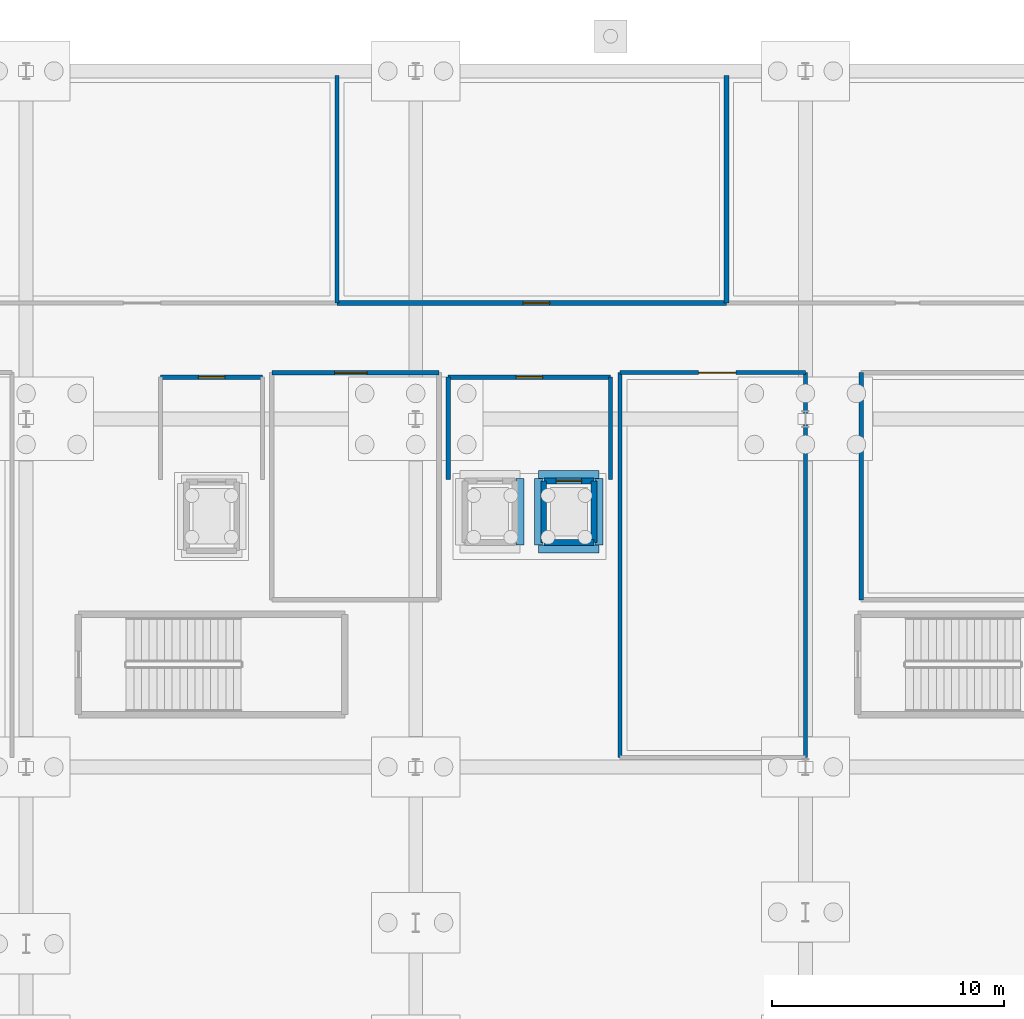
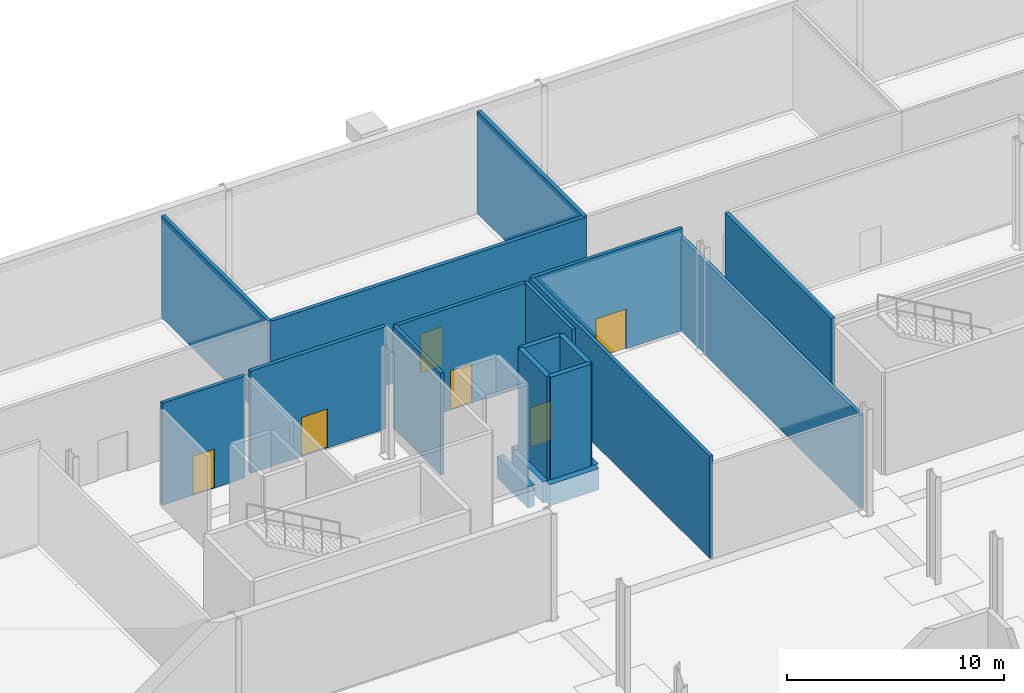
# One storey, part 29 of 46: 21 walls, 6 doors, 6 openings.
"""IFC4 building model written with IfcOpenShell, lengths in metres."""

from ifc_helpers import new_model, si_unit, direction, frame, frame_2d, origin, place, context, subcontext, project, spatial, rectangle, extrude, material, layer, layer_set, type_object, element, fill, save


model = new_model("IFC4")

# Units and contexts
model_context = context("Model", 3, precision=1e-05, world=origin(), true_north=direction((0.0, 1.0)))
body_context = subcontext(model_context, "Body", "Model", "MODEL_VIEW")
ifc_project = project(units=[si_unit("LENGTHUNIT", "METRE"), si_unit("AREAUNIT", "SQUARE_METRE"), si_unit("VOLUMEUNIT", "CUBIC_METRE"), si_unit("PLANEANGLEUNIT", "RADIAN"), si_unit("MASSUNIT", "GRAM", prefix="KILO")], contexts=[model_context])

# Site, building, storey
site_placement = place(None, origin())
site = spatial("IfcSite", under=ifc_project, at=site_placement, CompositionType="ELEMENT")
building_placement = place(site_placement, origin())
building = spatial("IfcBuilding", under=site, at=building_placement, Name="Kimbaza Rail Terminus", CompositionType="ELEMENT")
storey_placement = place(building_placement, frame((0.0, 0.0, -6.0)))
storey = spatial("IfcBuildingStorey", under=building, at=storey_placement, Name="B1", CompositionType="ELEMENT", Elevation=-6.0)

# Wall, opening, door
ifc_material_1 = material(Name="Concrete blockwork C30/37", Category="masonry")
ifc_layer_1 = layer(ifc_material_1, 0.179931640625)
ifc_layer_set_1 = layer_set([ifc_layer_1], Name="Concrete blockwork C30/37")
wall_type_1 = type_object("IfcWallType", Name="ARC-WL-FIRE180", PredefinedType="PARTITIONING", material=ifc_layer_set_1)
wall_1_placement = place(storey_placement, frame((82.199951171875, 119.800048828125, 0.0), z_axis=(0.0, 0.0, 1.0), x_axis=(-1.0, 0.0, 0.0)))
wall_1 = element("IfcWall", 1, at=wall_1_placement, inside=storey, type_object=wall_type_1, Name="Firefighting Lobby LF-01 Partition (north)", PredefinedType="PARTITIONING", context=body_context, shape_type="SweptSolid", body=[
    extrude(rectangle(XDim=4.39990234375, YDim=0.179931640625, at=frame_2d((2.199951171875, 0.0))), origin(), (0.0, 0.0, 1.0), 5.75),
])
opening_1_placement = place(wall_1_placement, frame((1.625, 0.0, 0.0)))
opening_1 = element("IfcOpeningElement", 2, at=opening_1_placement, cuts=wall_1, Name="Opening FD-03", PredefinedType="OPENING", context=body_context, shape_type="SweptSolid", body=[
    extrude(rectangle(XDim=1.14990234375, YDim=2.199951171875, at=frame_2d((0.574951171875, 1.10009765625))), frame((0.0, 0.099853515625, 0.0), z_axis=(0.0, -1.0, 0.0), x_axis=(1.0, 0.0, 0.0)), (0.0, 0.0, 1.0), 0.199951171875),
])
ifc_material_2 = material(Name="Firefighting lobby self-closing steel door", Category="steel")
door_type_1 = type_object("IfcDoorType", Name="ARC-DR-FD115", OperationType="NOTDEFINED", PredefinedType="DOOR", material=ifc_material_2)
door_1_placement = place(opening_1_placement, origin())
door_1 = element("IfcDoor", 3, at=door_1_placement, inside=storey, type_object=door_type_1, Name="IDR-SPC-FFL-LF-01-B1", OperationType="SINGLE_SWING_LEFT", OverallHeight=2.199951171875, OverallWidth=1.14990234375, PredefinedType="DOOR", context=body_context, shape_type="SweptSolid", body=[
    extrude(rectangle(XDim=1.14990234375, YDim=2.199951171875, at=frame_2d((0.574951171875, 1.10009765625))), frame((0.0, 0.02490234375, 0.0), z_axis=(0.0, -1.0, 0.0), x_axis=(1.0, 0.0, 0.0)), (0.0, 0.0, 1.0), 0.050048828125),
])
fill(opening_1, door_1)

# Wall
wall_2_placement = place(storey_placement, frame((97.199951171875, 115.39990234375, 0.0), z_axis=(0.0, 0.0, 1.0), x_axis=(0.0, 1.0, 0.0)))
element("IfcWall", 4, at=wall_2_placement, inside=storey, type_object=wall_type_1, Name="Operations Lift Lobby B1 Partition (east)", PredefinedType="PARTITIONING", context=body_context, shape_type="SweptSolid", body=[
    extrude(rectangle(XDim=4.400146484375, YDim=0.179931640625, at=frame_2d((2.2001953125, 0.0))), origin(), (0.0, 0.0, 1.0), 5.75),
])

# Wall, opening, door
wall_3_placement = place(storey_placement, frame((97.199951171875, 119.800048828125, 0.0), z_axis=(0.0, 0.0, 1.0), x_axis=(-1.0, 0.0, 0.0)))
wall_3 = element("IfcWall", 5, at=wall_3_placement, inside=storey, type_object=wall_type_1, Name="Operations Lift Lobby B1 Partition (north)", PredefinedType="PARTITIONING", context=body_context, shape_type="SweptSolid", body=[
    extrude(rectangle(XDim=7.0, YDim=0.179931640625, at=frame_2d((3.5, 0.0))), origin(), (0.0, 0.0, 1.0), 5.75),
])
opening_2_placement = place(wall_3_placement, frame((4.074951171875, 0.0, 0.0), z_axis=(0.0, 0.0, 1.0), x_axis=(-1.0, 0.0, 0.0)))
opening_2 = element("IfcOpeningElement", 6, at=opening_2_placement, cuts=wall_3, Name="Opening FD-03", PredefinedType="OPENING", context=body_context, shape_type="SweptSolid", body=[
    extrude(rectangle(XDim=1.14990234375, YDim=2.199951171875, at=frame_2d((0.574951171875, 1.10009765625))), frame((0.0, 0.099853515625, 0.0), z_axis=(0.0, -1.0, 0.0), x_axis=(1.0, 0.0, 0.0)), (0.0, 0.0, 1.0), 0.199951171875),
])
door_2_placement = place(opening_2_placement, origin())
door_2 = element("IfcDoor", 7, at=door_2_placement, inside=storey, type_object=door_type_1, Name="IDR-SPC-LLOB-V5-B1", OperationType="SINGLE_SWING_LEFT", OverallHeight=2.199951171875, OverallWidth=1.14990234375, PredefinedType="DOOR", context=body_context, shape_type="SweptSolid", body=[
    extrude(rectangle(XDim=1.14990234375, YDim=2.199951171875, at=frame_2d((0.574951171875, 1.10009765625))), frame((0.0, 0.02490234375, 0.0), z_axis=(0.0, -1.0, 0.0), x_axis=(1.0, 0.0, 0.0)), (0.0, 0.0, 1.0), 0.050048828125),
])
fill(opening_2, door_2)

# Walls
wall_4_placement = place(storey_placement, frame((90.199951171875, 119.800048828125, 0.0), z_axis=(0.0, 0.0, 1.0), x_axis=(0.0, -1.0, 0.0)))
element("IfcWall", 8, at=wall_4_placement, inside=storey, type_object=wall_type_1, Name="Operations Lift Lobby B1 Partition (west)", PredefinedType="PARTITIONING", context=body_context, shape_type="SweptSolid", body=[
    extrude(rectangle(XDim=4.400146484375, YDim=0.179931640625, at=frame_2d((2.2001953125, 0.0))), origin(), (0.0, 0.0, 1.0), 5.75),
])
wall_5_placement = place(storey_placement, frame((85.39990234375, 123.0, 0.0), z_axis=(0.0, 0.0, 1.0), x_axis=(0.0, 1.0, 0.0)))
element("IfcWall", 9, at=wall_5_placement, inside=storey, type_object=wall_type_1, Name="Traction Power Substation Hall Partition (east)", PredefinedType="PARTITIONING", context=body_context, shape_type="SweptSolid", body=[
    extrude(rectangle(XDim=9.800048828125, YDim=0.179931640625, at=frame_2d((4.89990234375, 0.0))), origin(), (0.0, 0.0, 1.0), 5.75),
])
wall_6_placement = place(storey_placement, frame((105.60009765625, 103.39990234375, 0.0), z_axis=(0.0, 0.0, 1.0), x_axis=(0.0, 1.0, 0.0)))
element("IfcWall", 10, at=wall_6_placement, inside=storey, type_object=wall_type_1, Name="B1 Network Dispatch Briefing Room Partition (east)", PredefinedType="PARTITIONING", context=body_context, shape_type="SweptSolid", body=[
    extrude(rectangle(XDim=16.60009765625, YDim=0.179931640625, at=frame_2d((8.300048828125, 0.0))), origin(), (0.0, 0.0, 1.0), 5.2548828125),
])

# Wall, opening, door
wall_7_placement = place(storey_placement, frame((105.60009765625, 120.0, 0.0), z_axis=(0.0, 0.0, 1.0), x_axis=(-1.0, 0.0, 0.0)))
wall_7 = element("IfcWall", 11, at=wall_7_placement, inside=storey, type_object=wall_type_1, Name="B1 Network Dispatch Briefing Room Partition (north)", PredefinedType="PARTITIONING", context=body_context, shape_type="SweptSolid", body=[
    extrude(rectangle(XDim=8.0, YDim=0.179931640625, at=frame_2d((4.0, 0.0))), origin(), (0.0, 0.0, 1.0), 5.75),
])
opening_3_placement = place(wall_7_placement, frame((3.0, 0.0, 0.0)))
opening_3 = element("IfcOpeningElement", 12, at=opening_3_placement, cuts=wall_7, Name="Opening FD-05", PredefinedType="OPENING", context=body_context, shape_type="SweptSolid", body=[
    extrude(rectangle(XDim=1.60009765625, YDim=2.25, at=frame_2d((0.800048828125, 1.125))), frame((0.0, 0.099853515625, 0.0), z_axis=(0.0, -1.0, 0.0), x_axis=(1.0, 0.0, 0.0)), (0.0, 0.0, 1.0), 0.199951171875),
])
ifc_material_3 = material(Name="Substation double-leaf steel fire door", Category="steel")
door_type_2 = type_object("IfcDoorType", Name="ARC-DR-FD160", OperationType="NOTDEFINED", PredefinedType="DOOR", material=ifc_material_3)
door_3_placement = place(opening_3_placement, origin())
door_3 = element("IfcDoor", 13, at=door_3_placement, inside=storey, type_object=door_type_2, Name="IDR-SPC-V5S-B1-3", OperationType="SINGLE_SWING_LEFT", OverallHeight=2.25, OverallWidth=1.60009765625, PredefinedType="DOOR", context=body_context, shape_type="SweptSolid", body=[
    extrude(rectangle(XDim=1.60009765625, YDim=2.25, at=frame_2d((0.800048828125, 1.125))), frame((0.0, 0.02490234375, 0.0), z_axis=(0.0, -1.0, 0.0), x_axis=(1.0, 0.0, 0.0)), (0.0, 0.0, 1.0), 0.050048828125),
])
fill(opening_3, door_3)

# Wall
wall_8_placement = place(storey_placement, frame((97.60009765625, 120.0, 0.0), z_axis=(0.0, 0.0, 1.0), x_axis=(0.0, -1.0, 0.0)))
element("IfcWall", 14, at=wall_8_placement, inside=storey, type_object=wall_type_1, Name="B1 Network Dispatch Briefing Room Partition (west)", PredefinedType="PARTITIONING", context=body_context, shape_type="SweptSolid", body=[
    extrude(rectangle(XDim=16.60009765625, YDim=0.179931640625, at=frame_2d((8.300048828125, 0.0))), origin(), (0.0, 0.0, 1.0), 5.75),
])

# Wall, opening, door
ifc_material_4 = material(Name="Concrete blockwork C30/37", Category="masonry")
ifc_layer_2 = layer(ifc_material_4, 0.199951171875)
ifc_layer_set_2 = layer_set([ifc_layer_2], Name="Concrete blockwork C30/37")
wall_type_2 = type_object("IfcWallType", Name="ARC-WL-FIRE200", PredefinedType="PARTITIONING", material=ifc_layer_set_2)
wall_9_placement = place(storey_placement, frame((85.39990234375, 123.0, 0.0), z_axis=(0.0, 0.0, 1.0), x_axis=(1.0, 0.0, 0.0)))
wall_9 = element("IfcWall", 15, at=wall_9_placement, inside=storey, type_object=wall_type_2, Name="District Chiller Plant Room Partition (south)", PredefinedType="PARTITIONING", context=body_context, shape_type="SweptSolid", body=[
    extrude(rectangle(XDim=16.800048828125, YDim=0.199951171875, at=frame_2d((8.39990234375, 0.0))), origin(), (0.0, 0.0, 1.0), 5.75),
])
opening_4_placement = place(wall_9_placement, frame((9.1748046875, 0.0, 0.0), z_axis=(0.0, 0.0, 1.0), x_axis=(-1.0, 0.0, 0.0)))
opening_4 = element("IfcOpeningElement", 16, at=opening_4_placement, cuts=wall_9, Name="Opening FD-03", PredefinedType="OPENING", context=body_context, shape_type="SweptSolid", body=[
    extrude(rectangle(XDim=1.14990234375, YDim=2.199951171875, at=frame_2d((0.574951171875, 1.10009765625))), frame((0.0, 0.10986328125, 0.0), z_axis=(0.0, -1.0, 0.0), x_axis=(1.0, 0.0, 0.0)), (0.0, 0.0, 1.0), 0.219970703125),
])
door_4_placement = place(opening_4_placement, origin())
door_4 = element("IfcDoor", 17, at=door_4_placement, inside=storey, type_object=door_type_1, Name="IDR-SPC-V5N-B1-03", OperationType="SINGLE_SWING_RIGHT", OverallHeight=2.199951171875, OverallWidth=1.14990234375, PredefinedType="DOOR", context=body_context, shape_type="SweptSolid", body=[
    extrude(rectangle(XDim=1.14990234375, YDim=2.199951171875, at=frame_2d((0.574951171875, 1.10009765625))), frame((0.0, 0.02490234375, 0.0), z_axis=(0.0, -1.0, 0.0), x_axis=(1.0, 0.0, 0.0)), (0.0, 0.0, 1.0), 0.050048828125),
])
fill(opening_4, door_4)

# Wall
wall_10_placement = place(storey_placement, frame((102.199951171875, 123.0, 0.0), z_axis=(0.0, 0.0, 1.0), x_axis=(0.0, 1.0, 0.0)))
element("IfcWall", 18, at=wall_10_placement, inside=storey, type_object=wall_type_2, Name="District Chiller Plant Room Partition (east)", PredefinedType="PARTITIONING", context=body_context, shape_type="SweptSolid", body=[
    extrude(rectangle(XDim=9.800048828125, YDim=0.199951171875, at=frame_2d((4.89990234375, 0.0))), origin(), (0.0, 0.0, 1.0), 5.75),
])

# Wall, opening, door
wall_11_placement = place(storey_placement, frame((89.800048828125, 120.0, 0.0), z_axis=(0.0, 0.0, 1.0), x_axis=(-1.0, 0.0, 0.0)))
wall_11 = element("IfcWall", 19, at=wall_11_placement, inside=storey, type_object=wall_type_2, Name="B1 Traction Metering Workshop Partition (north)", PredefinedType="PARTITIONING", context=body_context, shape_type="SweptSolid", body=[
    extrude(rectangle(XDim=7.199951171875, YDim=0.199951171875, at=frame_2d((3.60009765625, 0.0))), origin(), (0.0, 0.0, 1.0), 5.75),
])
opening_5_placement = place(wall_11_placement, frame((4.5, 0.0, 0.0), z_axis=(0.0, 0.0, 1.0), x_axis=(-1.0, 0.0, 0.0)))
opening_5 = element("IfcOpeningElement", 20, at=opening_5_placement, cuts=wall_11, Name="Opening FD-01", PredefinedType="OPENING", context=body_context, shape_type="SweptSolid", body=[
    extrude(rectangle(XDim=1.39990234375, YDim=2.199951171875, at=frame_2d((0.699951171875, 1.10009765625))), frame((0.0, 0.10986328125, 0.0), z_axis=(0.0, -1.0, 0.0), x_axis=(1.0, 0.0, 0.0)), (0.0, 0.0, 1.0), 0.219970703125),
])
ifc_material_5 = material(Name="Galvanised painted steel fire escape door", Category="steel")
door_type_3 = type_object("IfcDoorType", Name="ARC-DR-FD140", OperationType="NOTDEFINED", PredefinedType="DOOR", material=ifc_material_5)
door_5_placement = place(opening_5_placement, origin())
door_5 = element("IfcDoor", 21, at=door_5_placement, inside=storey, type_object=door_type_3, Name="IDR-SPC-V5S-B1-2", OperationType="SINGLE_SWING_RIGHT", OverallHeight=2.199951171875, OverallWidth=1.39990234375, PredefinedType="DOOR", context=body_context, shape_type="SweptSolid", body=[
    extrude(rectangle(XDim=1.39990234375, YDim=2.199951171875, at=frame_2d((0.699951171875, 1.10009765625))), frame((0.0, 0.02490234375, 0.0), z_axis=(0.0, -1.0, 0.0), x_axis=(1.0, 0.0, 0.0)), (0.0, 0.0, 1.0), 0.050048828125),
])
fill(opening_5, door_5)

# Walls
wall_12_placement = place(storey_placement, frame((108.0, 120.0, 0.0), z_axis=(0.0, 0.0, 1.0), x_axis=(0.0, -1.0, 0.0)))
element("IfcWall", 22, at=wall_12_placement, inside=storey, type_object=wall_type_2, Name="B1 Rolling Stock Rostering Studio Partition (west)", PredefinedType="PARTITIONING", context=body_context, shape_type="SweptSolid", body=[
    extrude(rectangle(XDim=9.800048828125, YDim=0.199951171875, at=frame_2d((4.89990234375, 0.0))), origin(), (0.0, 0.0, 1.0), 5.75),
])
ifc_material_6 = material(Name="Concrete C40/50", Category="concrete")
ifc_layer_3 = layer(ifc_material_6, 0.25)
ifc_layer_set_3 = layer_set([ifc_layer_3], Name="Concrete C40/50")
wall_type_3 = type_object("IfcWallType", Name="STR-WL-CORE250", PredefinedType="SHEAR", material=ifc_layer_set_3)
wall_13_placement = place(storey_placement, frame((94.320068359375, 112.669921875, 0.0), z_axis=(0.0, 0.0, 1.0), x_axis=(1.0, 0.0, 0.0)))
element("IfcWall", 23, at=wall_13_placement, inside=storey, type_object=wall_type_3, Name="Lift Shaft Wall LP-09 B1-1", PredefinedType="SHEAR", context=body_context, shape_type="SweptSolid", body=[
    extrude(rectangle(XDim=2.159912109375, YDim=0.25, at=frame_2d((1.080078125, 0.0))), origin(), (0.0, 0.0, 1.0), 5.760009765625),
])
wall_14_placement = place(storey_placement, frame((96.47998046875, 112.669921875, 0.0), z_axis=(0.0, 0.0, 1.0), x_axis=(0.0, 1.0, 0.0)))
element("IfcWall", 24, at=wall_14_placement, inside=storey, type_object=wall_type_3, Name="Lift Shaft Wall LP-09 B1-2", PredefinedType="SHEAR", context=body_context, shape_type="SweptSolid", body=[
    extrude(rectangle(XDim=2.66015625, YDim=0.25, at=frame_2d((1.330078125, 0.0))), origin(), (0.0, 0.0, 1.0), 5.760009765625),
])

# Wall, opening, door
wall_15_placement = place(storey_placement, frame((96.47998046875, 115.330078125, 0.0), z_axis=(0.0, 0.0, 1.0), x_axis=(-1.0, 0.0, 0.0)))
wall_15 = element("IfcWall", 25, at=wall_15_placement, inside=storey, type_object=wall_type_3, Name="Lift Shaft Wall LP-09 B1-3", PredefinedType="SHEAR", context=body_context, shape_type="SweptSolid", body=[
    extrude(rectangle(XDim=2.159912109375, YDim=0.25, at=frame_2d((1.080078125, 0.0))), origin(), (0.0, 0.0, 1.0), 5.760009765625),
])
opening_6_placement = place(wall_15_placement, frame((0.530029296875, 0.0, 0.0)))
opening_6 = element("IfcOpeningElement", 26, at=opening_6_placement, cuts=wall_15, Name="Opening LD-01", PredefinedType="OPENING", context=body_context, shape_type="SweptSolid", body=[
    extrude(rectangle(XDim=1.10009765625, YDim=2.199951171875, at=frame_2d((0.550048828125, 1.10009765625))), frame((0.0, 0.135009765625, 0.0), z_axis=(0.0, -1.0, 0.0), x_axis=(1.0, 0.0, 0.0)), (0.0, 0.0, 1.0), 0.27001953125),
])
ifc_material_7 = material(Name="Brushed stainless steel sliding landing door", Category="steel")
door_type_4 = type_object("IfcDoorType", Name="ARC-DR-LD110", OperationType="NOTDEFINED", PredefinedType="DOOR", material=ifc_material_7)
door_6_placement = place(opening_6_placement, origin())
door_6 = element("IfcDoor", 27, at=door_6_placement, inside=storey, type_object=door_type_4, Name="LDR-LP-09-B1", OperationType="SLIDING_TO_LEFT", OverallHeight=2.199951171875, OverallWidth=1.10009765625, PredefinedType="DOOR", context=body_context, shape_type="SweptSolid", body=[
    extrude(rectangle(XDim=1.10009765625, YDim=2.199951171875, at=frame_2d((0.550048828125, 1.10009765625))), frame((0.0, 0.02490234375, 0.0), z_axis=(0.0, -1.0, 0.0), x_axis=(1.0, 0.0, 0.0)), (0.0, 0.0, 1.0), 0.050048828125),
])
fill(opening_6, door_6)

# Walls
wall_16_placement = place(storey_placement, frame((94.320068359375, 115.330078125, 0.0), z_axis=(0.0, 0.0, 1.0), x_axis=(0.0, -1.0, 0.0)))
element("IfcWall", 28, at=wall_16_placement, inside=storey, type_object=wall_type_3, Name="Lift Shaft Wall LP-09 B1-4", PredefinedType="SHEAR", context=body_context, shape_type="SweptSolid", body=[
    extrude(rectangle(XDim=2.66015625, YDim=0.25, at=frame_2d((1.330078125, 0.0))), origin(), (0.0, 0.0, 1.0), 5.760009765625),
])
ifc_material_8 = material(Name="Concrete C40/50", Category="concrete")
ifc_layer_4 = layer(ifc_material_8, 0.35009765625)
ifc_layer_set_4 = layer_set([ifc_layer_4], Name="Concrete C40/50")
wall_type_4 = type_object("IfcWallType", Name="STR-WL-RET350", PredefinedType="SOLIDWALL", material=ifc_layer_set_4)
wall_17_placement = place(storey_placement, frame((93.300048828125, 112.574951171875, -1.199951171875), z_axis=(0.0, 0.0, 1.0), x_axis=(0.0, 1.0, 0.0)))
element("IfcWall", 29, at=wall_17_placement, inside=storey, type_object=wall_type_4, Name="Lift Pit Wall LP-08-2", PredefinedType="SOLIDWALL", context=body_context, shape_type="SweptSolid", body=[
    extrude(rectangle(XDim=2.85009765625, YDim=0.35009765625, at=frame_2d((1.425048828125, 0.0))), origin(), (0.0, 0.0, 1.0), 1.199951171875),
])
wall_18_placement = place(storey_placement, frame((94.10009765625, 112.39990234375, -1.199951171875), z_axis=(0.0, 0.0, 1.0), x_axis=(1.0, 0.0, 0.0)))
element("IfcWall", 30, at=wall_18_placement, inside=storey, type_object=wall_type_4, Name="Lift Pit Wall LP-09-1", PredefinedType="SOLIDWALL", context=body_context, shape_type="SweptSolid", body=[
    extrude(rectangle(XDim=2.599853515625, YDim=0.35009765625, at=frame_2d((1.2998046875, 0.0))), origin(), (0.0, 0.0, 1.0), 1.199951171875),
])
wall_19_placement = place(storey_placement, frame((96.699951171875, 112.574951171875, -1.199951171875), z_axis=(0.0, 0.0, 1.0), x_axis=(0.0, 1.0, 0.0)))
element("IfcWall", 31, at=wall_19_placement, inside=storey, type_object=wall_type_4, Name="Lift Pit Wall LP-09-2", PredefinedType="SOLIDWALL", context=body_context, shape_type="SweptSolid", body=[
    extrude(rectangle(XDim=2.85009765625, YDim=0.35009765625, at=frame_2d((1.425048828125, 0.0))), origin(), (0.0, 0.0, 1.0), 1.199951171875),
])
wall_20_placement = place(storey_placement, frame((96.699951171875, 115.60009765625, -1.199951171875), z_axis=(0.0, 0.0, 1.0), x_axis=(-1.0, 0.0, 0.0)))
element("IfcWall", 32, at=wall_20_placement, inside=storey, type_object=wall_type_4, Name="Lift Pit Wall LP-09-3", PredefinedType="SOLIDWALL", context=body_context, shape_type="SweptSolid", body=[
    extrude(rectangle(XDim=2.599853515625, YDim=0.35009765625, at=frame_2d((1.2998046875, 0.0))), origin(), (0.0, 0.0, 1.0), 1.199951171875),
])
wall_21_placement = place(storey_placement, frame((94.10009765625, 115.425048828125, -1.199951171875), z_axis=(0.0, 0.0, 1.0), x_axis=(0.0, -1.0, 0.0)))
element("IfcWall", 33, at=wall_21_placement, inside=storey, type_object=wall_type_4, Name="Lift Pit Wall LP-09-4", PredefinedType="SOLIDWALL", context=body_context, shape_type="SweptSolid", body=[
    extrude(rectangle(XDim=2.85009765625, YDim=0.35009765625, at=frame_2d((1.425048828125, 0.0))), origin(), (0.0, 0.0, 1.0), 1.199951171875),
])

save(model, "model.ifc")
